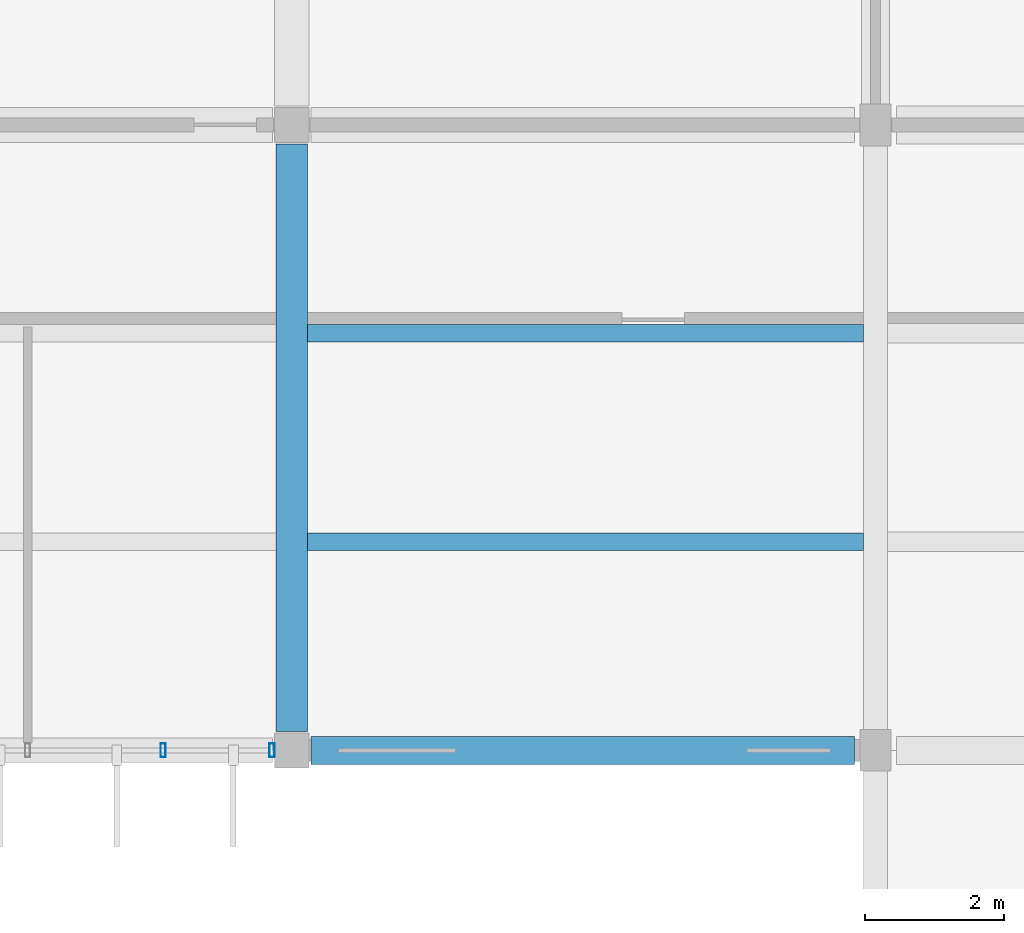
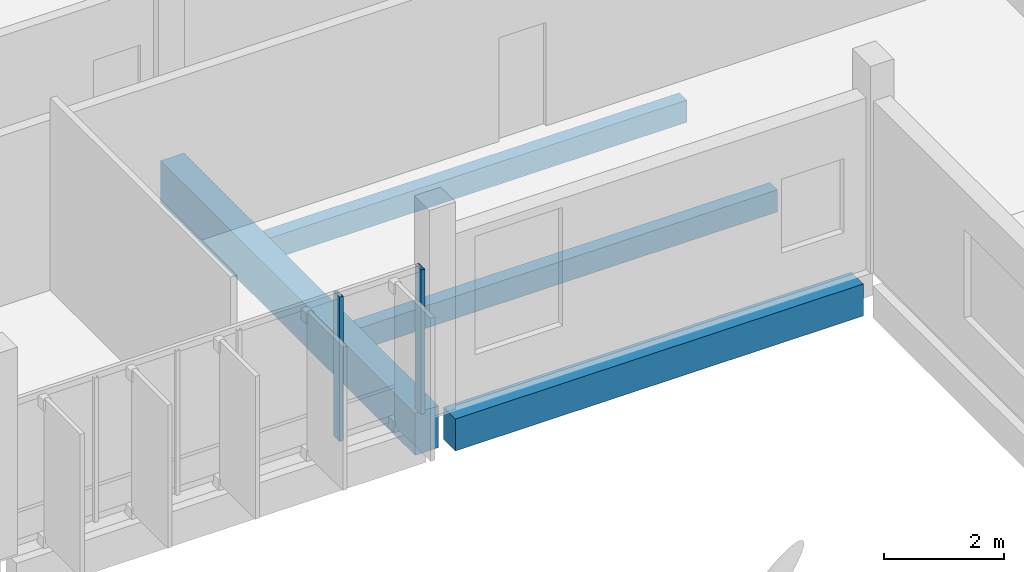
# One storey, part 51 of 107: 4 beams, 2 members, 1 element without a shape of its own.
"""IFC4 building model written with IfcOpenShell, lengths in metres."""

from ifc_helpers import new_model, si_unit, direction, frame, origin, origin_2d, place, context, subcontext, project, spatial, rectangle, hollow_rectangle, extrude, material, layer, layer_set, material_profile, profile_set, type_object, element, aggregate, save


model = new_model("IFC4")

# Units and contexts
model_context = context("Model", 3, precision=1e-05, world=origin(), true_north=direction((0.0, 1.0)))
body_context = subcontext(model_context, "Body", "Model", "MODEL_VIEW")
ifc_project = project(units=[si_unit("LENGTHUNIT", "METRE"), si_unit("AREAUNIT", "SQUARE_METRE"), si_unit("VOLUMEUNIT", "CUBIC_METRE"), si_unit("PLANEANGLEUNIT", "RADIAN"), si_unit("MASSUNIT", "GRAM", prefix="KILO")], contexts=[model_context])

# Site, building, storey
site_placement = place(None, origin())
site = spatial("IfcSite", under=ifc_project, at=site_placement, CompositionType="ELEMENT")
building_placement = place(site_placement, origin())
building = spatial("IfcBuilding", under=site, at=building_placement, Name="Vireocrest Preparatory School", CompositionType="ELEMENT")
storey_placement = place(building_placement, frame((0.0, 0.0, 13.199951171875)))
storey = spatial("IfcBuildingStorey", under=building, at=storey_placement, Name="L03", CompositionType="ELEMENT", Elevation=13.199951171875)

# Curtain wall, members
ifc_material_1 = material(Name="Thermally broken aluminium EN AW-6063-T6", Category="aluminium")
ifc_layer = layer(ifc_material_1, 0.179931640625)
ifc_layer_set = layer_set([ifc_layer], Name="Thermally broken aluminium EN AW-6063-T6")
curtain_wall_type = type_object("IfcCurtainWallType", Name="Setback Terrace Glazing 7600x3200", PredefinedType="USERDEFINED", material=ifc_layer_set)
curtain_wall_placement = place(storey_placement, origin())
curtain_wall = element("IfcCurtainWall", 1, at=curtain_wall_placement, inside=storey, type_object=curtain_wall_type, Name="Curtain Wall CW17 CW_L03_CW17_0758_0948_132", ObjectType="CURTAIN WALL", PredefinedType="USERDEFINED")
ifc_material_profile_1 = material_profile(ifc_material_1, hollow_rectangle(XDim=0.074951171875, YDim=0.199951171875, WallThickness=0.0048828125, at=origin_2d()), Name="ALU 75x200x5")
ifc_profile_set_1 = profile_set([ifc_material_profile_1], Name="Thermally broken aluminium EN AW-6063-T6")
member_type = type_object("IfcMemberType", Name="CW Mullion 75x200x5", PredefinedType="MULLION", material=ifc_profile_set_1)
member_1_placement = place(storey_placement, frame((82.14892578125, 94.800048828125, 0.0), z_axis=(0.0, 0.0, 1.0), x_axis=(1.0, 0.0, 0.0)))
member_1 = element("IfcMember", 2, at=member_1_placement, type_object=member_type, Name="CW Mullion ML3 CW_L03_CW17_0758_0948_132-5", PredefinedType="MULLION", context=body_context, shape_type="SweptSolid", body=[
    extrude(hollow_rectangle(XDim=0.074951171875, YDim=0.199951171875, WallThickness=0.0048828125, at=origin_2d()), origin(), (0.0, 0.0, 1.0), 2.925048828125),
])
member_2_placement = place(storey_placement, frame((83.715087890625, 94.800048828125, 0.0), z_axis=(0.0, 0.0, 1.0), x_axis=(1.0, 0.0, 0.0)))
member_2 = element("IfcMember", 3, at=member_2_placement, type_object=member_type, Name="CW Mullion ML3 CW_L03_CW17_0758_0948_132-6", PredefinedType="MULLION", context=body_context, shape_type="SweptSolid", body=[
    extrude(hollow_rectangle(XDim=0.074951171875, YDim=0.199951171875, WallThickness=0.0048828125, at=origin_2d()), origin(), (0.0, 0.0, 1.0), 2.925048828125),
])
aggregate(curtain_wall, [member_1, member_2])

# Beams
ifc_material_2 = material(Name="Concrete 40 MPa", Category="concrete")
ifc_material_profile_2 = material_profile(ifc_material_2, rectangle(XDim=0.449951171875, YDim=0.85009765625, at=origin_2d()), Name="RC 450x850")
ifc_profile_set_2 = profile_set([ifc_material_profile_2], Name="Concrete 40 MPa")
beam_type_1 = type_object("IfcBeamType", Name="RC Heavy Floor Girder 450x850", PredefinedType="BEAM", material=ifc_profile_set_2)
beam_1_placement = place(storey_placement, frame((84.0, 95.074951171875, -0.6650390625), z_axis=(0.0, 1.0, 0.0), x_axis=(-1.0, 0.0, 0.0)))
element("IfcBeam", 4, at=beam_1_placement, inside=storey, type_object=beam_type_1, Name="Primary Girder B13 L03-1140", PredefinedType="BEAM", context=body_context, shape_type="SweptSolid", body=[
    extrude(rectangle(XDim=0.449951171875, YDim=0.85009765625, at=origin_2d()), origin(), (0.0, 0.0, 1.0), 8.449951171875),
])
ifc_material_profile_3 = material_profile(ifc_material_2, rectangle(XDim=0.39990234375, YDim=0.64990234375, at=origin_2d()), Name="RC 400x650")
ifc_profile_set_3 = profile_set([ifc_material_profile_3], Name="Concrete 40 MPa")
beam_type_2 = type_object("IfcBeamType", Name="RC Laboratory Girder 400x650", PredefinedType="BEAM", material=ifc_profile_set_3)
beam_2_placement = place(storey_placement, frame((84.27490234375, 94.800048828125, -0.56494140625), z_axis=(1.0, 0.0, 0.0), x_axis=(0.0, 1.0, 0.0)))
element("IfcBeam", 5, at=beam_2_placement, inside=storey, type_object=beam_type_2, Name="Primary Girder B07 L03-1085", PredefinedType="BEAM", context=body_context, shape_type="SweptSolid", body=[
    extrude(rectangle(XDim=0.39990234375, YDim=0.64990234375, at=origin_2d()), origin(), (0.0, 0.0, 1.0), 7.8251953125),
])
ifc_material_profile_4 = material_profile(ifc_material_2, rectangle(XDim=0.25, YDim=0.449951171875, at=origin_2d()), Name="RC 250x450")
ifc_profile_set_4 = profile_set([ifc_material_profile_4], Name="Concrete 40 MPa")
beam_type_3 = type_object("IfcBeamType", Name="RC Secondary Floor Joist 250x450", PredefinedType="JOIST", material=ifc_profile_set_4)
for number, where, z_axis, x_axis, name in (
    (6, (84.22509765625, 97.800048828125, -0.46484375), (1.0, 0.0, 0.0), (0.0, 1.0, 0.0), "Secondary Joist J01 L03-1233"),
    (7, (84.22509765625, 100.800048828125, -0.46484375), (1.0, 0.0, 0.0), (0.0, 1.0, 0.0), "Secondary Joist J01 L03-1234"),
):
    element("IfcBeam", number, at=place(storey_placement, frame(where, z_axis=z_axis, x_axis=x_axis)), inside=storey, type_object=beam_type_3, Name=name, PredefinedType="JOIST", context=body_context, shape_type="SweptSolid", body=[
        extrude(rectangle(XDim=0.25, YDim=0.449951171875, at=origin_2d()), origin(), (0.0, 0.0, 1.0), 8.0),
    ])

save(model, "model.ifc")
